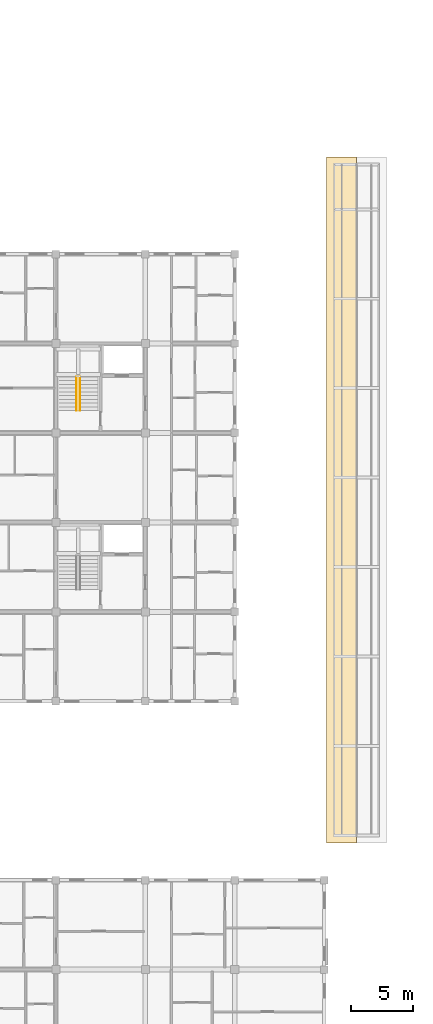
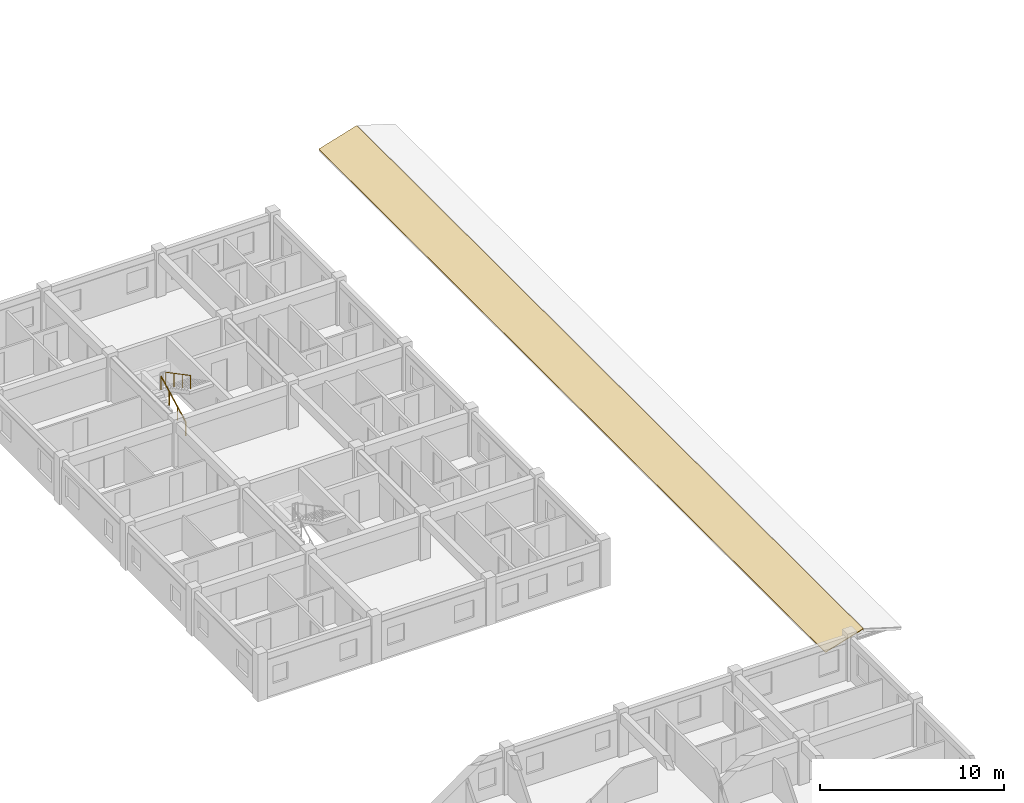
# One storey, part 46 of 50: 2 railings, 1 covering.
"""IFC4 building model written with IfcOpenShell, lengths in metres."""

from ifc_helpers import new_model, si_unit, direction, frame, origin, origin_2d, place, context, subcontext, project, spatial, polyline, circle, outline, extrude, material, layer, layer_set, type_object, element, save


model = new_model("IFC4")

# Units and contexts
model_context = context("Model", 3, precision=1e-05, world=origin(), true_north=direction((0.0, 1.0)))
body_context = subcontext(model_context, "Body", "Model", "MODEL_VIEW")
ifc_project = project(units=[si_unit("LENGTHUNIT", "METRE"), si_unit("AREAUNIT", "SQUARE_METRE"), si_unit("VOLUMEUNIT", "CUBIC_METRE"), si_unit("PLANEANGLEUNIT", "RADIAN"), si_unit("MASSUNIT", "GRAM", prefix="KILO"), si_unit("THERMODYNAMICTEMPERATUREUNIT", "KELVIN"), si_unit("POWERUNIT", "WATT")], contexts=[model_context])

# Site, building, storey
site_placement = place(None, origin())
site = spatial("IfcSite", under=ifc_project, at=site_placement, CompositionType="ELEMENT")
building_placement = place(site_placement, origin())
building = spatial("IfcBuilding", under=site, at=building_placement, Name="Tavuni Mirador Residences", CompositionType="ELEMENT")
storey_placement = place(building_placement, frame((0.0, 0.0, 4.5)))
storey = spatial("IfcBuildingStorey", under=building, at=storey_placement, Name="L01", CompositionType="ELEMENT", Elevation=4.5)

# Covering
ifc_material_1 = material(Name="Glazed ceramic roof tile", Category="masonry")
ifc_layer = layer(ifc_material_1, 0.044921875, Name="Glazed ceramic roof tile", Category="masonry")
ifc_layer_set = layer_set([ifc_layer], Name="Glazed ceramic roof tile")
covering_type = type_object("IfcCoveringType", Name="CVT-ROOF-TILE", PredefinedType="ROOFING", material=ifc_layer_set)
covering_placement = place(storey_placement, frame((32.60009765625, 53.39990234375, -0.205078125), z_axis=(-0.292340248807, 0.0, 0.956314372436), x_axis=(0.956314372436, 0.0, 0.292340248807)))
element("IfcCovering", 1, at=covering_placement, inside=storey, type_object=covering_type, Name="COV-RF-COLO-WEST", PredefinedType="ROOFING", context=body_context, shape_type="SweptSolid", body=[
    extrude(outline(polyline([(0.0, 0.0), (2.4970234913887763, 0.0), (2.4970234913887763, 55.2001953125), (0.0, 55.2001953125), (0.0, 0.0)])), origin(), (0.0, 0.0, -1.0), 0.044921875),
])

# Railings
ifc_material_2 = material(Name="Structural steel S355", Category="steel")
railing_type = type_object("IfcRailingType", Name="RT-HR920", PredefinedType="HANDRAIL", material=ifc_material_2)
railing_1_placement = place(storey_placement, frame((12.449951171875, 88.199951171875, 0.157470703125)))
element("IfcRailing", 2, at=railing_1_placement, inside=storey, type_object=railing_type, Name="HR-ST4-L01-F1", PredefinedType="HANDRAIL", context=body_context, shape_type="SweptSolid", body=[
    extrude(circle(Radius=0.02392578125, at=origin_2d()), frame((0.0, 0.0, 0.89599609375), z_axis=(0.0, 0.885397079081, 0.464835468048), x_axis=(-1.0, 0.0, 0.0)), (0.0, 0.0, 1.0), 3.04931640625),
    extrude(circle(Radius=0.02099609375, at=origin_2d()), origin(), (0.0, 0.0, 1.0), 0.871826171875),
    extrude(circle(Radius=0.02099609375, at=origin_2d()), frame((0.0, 0.89990234375, 0.472412109375)), (0.0, 0.0, 1.0), 0.871826171875),
    extrude(circle(Radius=0.02099609375, at=origin_2d()), frame((0.0, 1.800048828125, 0.945068359375)), (0.0, 0.0, 1.0), 0.871826171875),
    extrude(circle(Radius=0.02099609375, at=origin_2d()), frame((0.0, 2.699951171875, 1.41748046875)), (0.0, 0.0, 1.0), 0.871826171875),
])
railing_2_placement = place(storey_placement, frame((12.75, 90.89990234375, 1.732421875)))
element("IfcRailing", 3, at=railing_2_placement, inside=storey, type_object=railing_type, Name="HR-ST4-L01-F2", PredefinedType="HANDRAIL", context=body_context, shape_type="SweptSolid", body=[
    extrude(circle(Radius=0.02392578125, at=origin_2d()), frame((0.0, 0.0, 0.89599609375), z_axis=(0.0, -0.885397079081, 0.464835468048), x_axis=(1.0, 0.0, 0.0)), (0.0, 0.0, 1.0), 3.04931640625),
    extrude(circle(Radius=0.02099609375, at=origin_2d()), origin(), (0.0, 0.0, 1.0), 0.871826171875),
    extrude(circle(Radius=0.02099609375, at=origin_2d()), frame((0.0, -0.89990234375, 0.472412109375)), (0.0, 0.0, 1.0), 0.871826171875),
    extrude(circle(Radius=0.02099609375, at=origin_2d()), frame((0.0, -1.800048828125, 0.945068359375)), (0.0, 0.0, 1.0), 0.871826171875),
    extrude(circle(Radius=0.02099609375, at=origin_2d()), frame((0.0, -2.699951171875, 1.41748046875)), (0.0, 0.0, 1.0), 0.871826171875),
])

save(model, "model.ifc")
